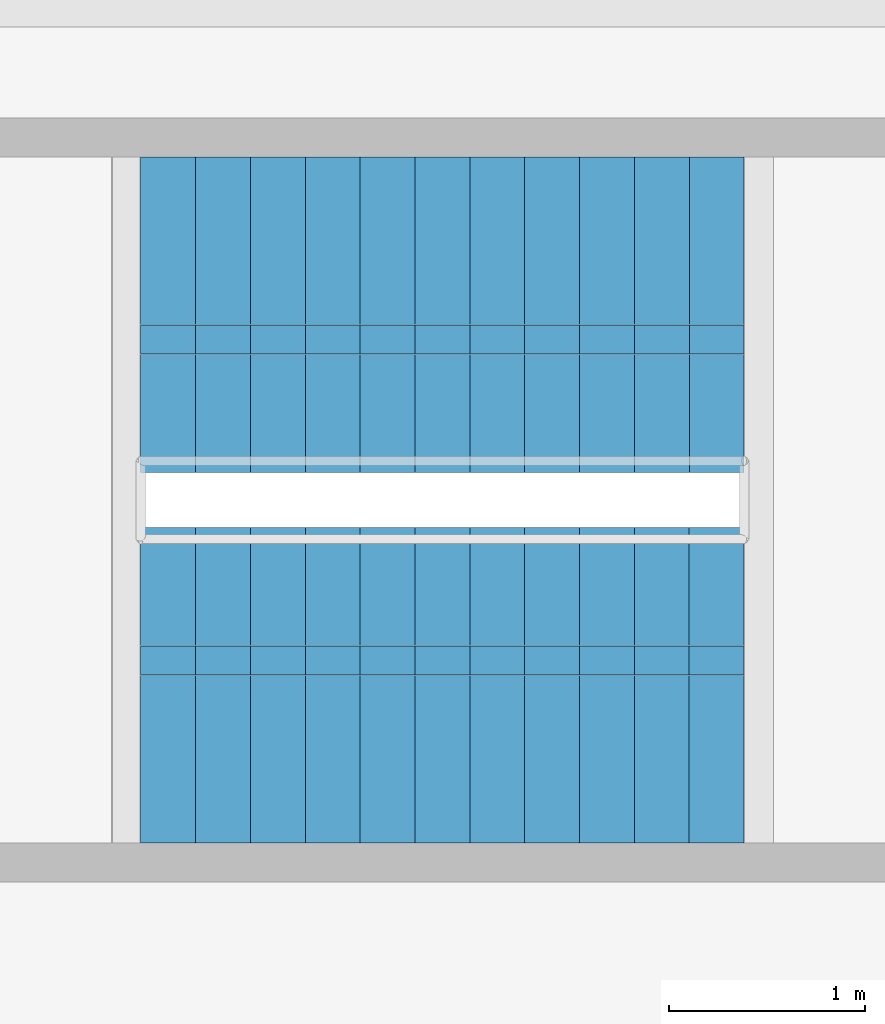
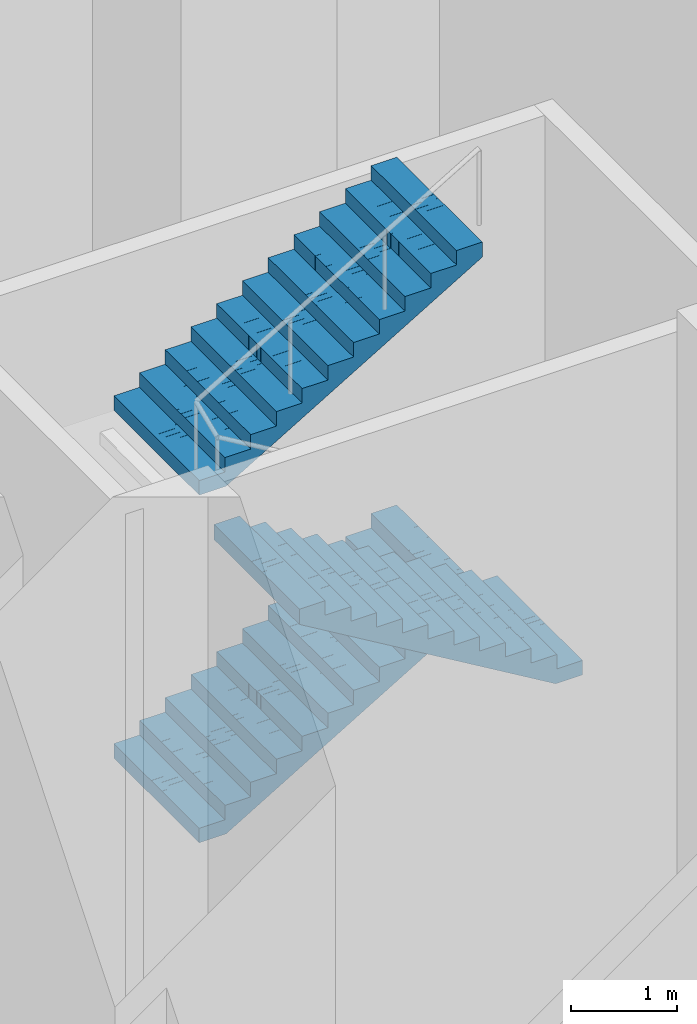
# One storey, part 24 of 25: 3 stair flights, 1 element without a shape of its own.
"""IFC4 building model written with IfcOpenShell, lengths in metres."""

import ifcopenshell
import ifcopenshell.guid

model = None  # the IFC model being written
_history = None  # IfcOwnerHistory: only IFC2X3 demands one
_inside = {}  # id of a spatial element -> (the spatial element, [elements in it])
_under = {}  # id of a project, library or spatial element -> (it, [spatial elements below it])
_declared = {}  # id of a project -> (the project, [libraries it declares])
_typed = {}  # id of a type object -> (the type object, [elements of that type])
_made_of = {}  # id of a material, layer set ... -> (it, [elements and type objects made of it])


def new_model(schema):
    """Start an empty IFC model of exactly this schema.

    Asked for "IFC4X3", IfcOpenShell would pick the latest addendum, in which some entities
    have other attributes; the version numbers below select the first issue.
    IFC2X3 requires an IfcOwnerHistory on every rooted entity: one is made here for all.
    """
    global model, _history
    if schema == "IFC4X3":
        model = ifcopenshell.file(schema_version=(4, 3, 0, 0))
    else:
        model = ifcopenshell.file(schema=schema)
    _inside.clear()
    _under.clear()
    _declared.clear()
    _typed.clear()
    _made_of.clear()
    _history = None
    if model.schema == "IFC2X3":
        org = make("IfcOrganization", Name="unknown")
        user = make(
            "IfcPersonAndOrganization",
            ThePerson=make("IfcPerson", FamilyName="unknown"),
            TheOrganization=org,
        )
        app = make(
            "IfcApplication",
            ApplicationDeveloper=org,
            Version="unknown",
            ApplicationFullName="unknown",
            ApplicationIdentifier="unknown",
        )
        _history = make(
            "IfcOwnerHistory",
            OwningUser=user,
            OwningApplication=app,
            ChangeAction="ADDED",
            CreationDate=0,
        )
    return model


def make(cls, **values):
    """One entity of the class cls with the attributes given. An attribute that is None is left unset."""
    return model.create_entity(
        cls, **{name: value for name, value in values.items() if value is not None}
    )


def rooted(cls, **values):
    """An entity with a GlobalId (a new one), such as an element, a storey or a relation."""
    return make(cls, GlobalId=ifcopenshell.guid.new(), OwnerHistory=_history, **values)


def si_unit(unit_type, name, prefix=None):
    """IfcSIUnit, for example si_unit("LENGTHUNIT", "METRE", prefix="MILLI")."""
    return make("IfcSIUnit", UnitType=unit_type, Prefix=prefix, Name=name)


def assignment(units):
    """IfcUnitAssignment: the units of a project."""
    return None if units is None else make("IfcUnitAssignment", Units=units)


def point(xyz):
    """IfcCartesianPoint."""
    return None if xyz is None else make("IfcCartesianPoint", Coordinates=xyz)


def direction(xyz):
    """IfcDirection."""
    return None if xyz is None else make("IfcDirection", DirectionRatios=xyz)


def frame(location, z_axis=None, x_axis=None):
    """IfcAxis2Placement3D, a coordinate frame: its origin and axes. An axis left out is left unset."""
    return make(
        "IfcAxis2Placement3D",
        Location=point(location),
        Axis=direction(z_axis),
        RefDirection=direction(x_axis),
    )


def origin():
    """The frame at (0, 0, 0) with its axes left unset."""
    return frame((0.0, 0.0, 0.0))


def place(relative_to, where):
    """IfcLocalPlacement: puts the frame where relative to a parent placement (None: the world)."""
    return make(
        "IfcLocalPlacement", PlacementRelTo=relative_to, RelativePlacement=where
    )


def context(
    kind, dimensions, precision=None, world=None, true_north=None, identifier=None
):
    """IfcGeometricRepresentationContext, for example the 3D "Model" context."""
    return make(
        "IfcGeometricRepresentationContext",
        ContextIdentifier=identifier,
        ContextType=kind,
        CoordinateSpaceDimension=dimensions,
        Precision=precision,
        WorldCoordinateSystem=world,
        TrueNorth=true_north,
    )


def subcontext(parent, identifier, kind, view, scale=None):
    """IfcGeometricRepresentationSubContext, for example "Body" below "Model"."""
    return make(
        "IfcGeometricRepresentationSubContext",
        ContextIdentifier=identifier,
        ContextType=kind,
        ParentContext=parent,
        TargetScale=scale,
        TargetView=view,
    )


def project(units=None, contexts=None):
    """IfcProject with its units and contexts."""
    return rooted(
        "IfcProject",
        Name="project",
        RepresentationContexts=contexts,
        UnitsInContext=assignment(units),
    )


def spatial(cls, under=None, at=None, **own):
    """A site, building, storey or space (cls), placed at a placement, below another one or the project."""
    s = rooted(cls, ObjectPlacement=at, **own)
    if under is not None:
        _under.setdefault(under.id(), (under, []))[1].append(s)
    return s


def polyline(points):
    """IfcPolyline through the points."""
    return make("IfcPolyline", Points=[point(p) for p in points])


def outline(outer, holes=None, kind="AREA"):
    """IfcArbitraryClosedProfileDef: a profile drawn as a closed curve; with holes, ...WithVoids."""
    if holes is None:
        return make("IfcArbitraryClosedProfileDef", ProfileType=kind, OuterCurve=outer)
    return make(
        "IfcArbitraryProfileDefWithVoids",
        ProfileType=kind,
        OuterCurve=outer,
        InnerCurves=holes,
    )


def extrude(swept, where, along, depth):
    """IfcExtrudedAreaSolid: the profile swept, set in the frame where, extruded along a direction by depth."""
    return make(
        "IfcExtrudedAreaSolid",
        SweptArea=swept,
        Position=where,
        ExtrudedDirection=direction(along),
        Depth=depth,
    )


def shape(context_of_items, identifier, shape_type, items):
    """IfcShapeRepresentation: the items that make up one representation, for example the "Body"."""
    return make(
        "IfcShapeRepresentation",
        ContextOfItems=context_of_items,
        RepresentationIdentifier=identifier,
        RepresentationType=shape_type,
        Items=items,
    )


def material(Name=None, Category=None):
    """IfcMaterial."""
    return make("IfcMaterial", Name=Name, Category=Category)


def made_of(thing, what):
    """Note that an element or type object is made of a material, layer set ...; save() writes the relation."""
    if what is not None:
        _made_of.setdefault(what.id(), (what, []))[1].append(thing)
    return thing


def type_object(cls, material=None, **own):
    """A type object (cls), such as IfcWallType, which elements share."""
    return made_of(rooted(cls, **own), material)


def element(
    cls,
    number,
    at=None,
    inside=None,
    cuts=None,
    type_object=None,
    material=None,
    context=None,
    identifier="Body",
    shape_type=None,
    held_by="IfcProductDefinitionShape",
    body=None,
    shapes=None,
    **own,
):
    """One element of the class cls, such as IfcWall. Its Tag is "e" and its number.

    at: its placement. inside: the storey or other place that contains it. cuts: it is an
    opening in that element (IfcRelVoidsElement). A single representation is given by context,
    identifier, shape_type and body (its items); several are given by shapes. held_by: the class
    of the entity that holds the representations. save() writes the other relations.
    """
    e = rooted(cls, Tag="e%d" % number, ObjectPlacement=at, **own)
    if body is not None:
        shapes = [shape(context, identifier, shape_type, body)]
    if shapes is not None:
        e.Representation = make(held_by, Representations=shapes)
    if inside is not None:
        _inside.setdefault(inside.id(), (inside, []))[1].append(e)
    if cuts is not None:
        rooted(
            "IfcRelVoidsElement", RelatingBuildingElement=cuts, RelatedOpeningElement=e
        )
    if type_object is not None:
        _typed.setdefault(type_object.id(), (type_object, []))[1].append(e)
    return made_of(e, material)


def aggregate(whole, parts):
    """IfcRelAggregates: a whole, such as a stair, and the parts it consists of."""
    return rooted("IfcRelAggregates", RelatingObject=whole, RelatedObjects=parts)


def save(model, path):
    """Write the relations noted so far, then the file.

    IfcRelAggregates (storeys below a building ...), IfcRelContainedInSpatialStructure (elements
    in a storey), IfcRelDefinesByType, IfcRelAssociatesMaterial and IfcRelDeclares: one each for
    every whole, place, type object, material and project.
    """
    for whole, parts in _under.values():
        aggregate(whole, parts)
    for where, things in _inside.values():
        rooted(
            "IfcRelContainedInSpatialStructure",
            RelatedElements=things,
            RelatingStructure=where,
        )
    for kind, things in _typed.values():
        rooted("IfcRelDefinesByType", RelatedObjects=things, RelatingType=kind)
    for what, things in _made_of.values():
        rooted("IfcRelAssociatesMaterial", RelatedObjects=things, RelatingMaterial=what)
    for by, libraries in _declared.values():
        rooted("IfcRelDeclares", RelatingContext=by, RelatedDefinitions=libraries)
    model.write(path)


model = new_model("IFC4")

# Units and contexts
model_context = context("Model", 3, precision=1e-05, world=origin(), true_north=direction((0.0, 1.0)))
body_context = subcontext(model_context, "Body", "Model", "MODEL_VIEW")
ifc_project = project(units=[si_unit("LENGTHUNIT", "METRE"), si_unit("AREAUNIT", "SQUARE_METRE"), si_unit("VOLUMEUNIT", "CUBIC_METRE"), si_unit("PLANEANGLEUNIT", "RADIAN"), si_unit("MASSUNIT", "GRAM", prefix="KILO")], contexts=[model_context])

# Site, building, storey
site_placement = place(None, origin())
site = spatial("IfcSite", under=ifc_project, at=site_placement, CompositionType="ELEMENT")
building_placement = place(site_placement, origin())
building = spatial("IfcBuilding", under=site, at=building_placement, Name="Mizan Broadcast Tower", CompositionType="ELEMENT")
storey_placement = place(building_placement, frame((0.0, 0.0, 15.0)))
storey = spatial("IfcBuildingStorey", under=building, at=storey_placement, Name="L02", CompositionType="ELEMENT", Elevation=15.0)

# Stair, stair flights
ifc_material_1 = material(Name="Concrete C40/50", Category="concrete")
stair_type = type_object("IfcStairType", Name="EXIT STAIR", PredefinedType="HALF_TURN_STAIR", material=ifc_material_1)
stair_placement = place(storey_placement, origin())
stair = element("IfcStair", 1, at=stair_placement, inside=storey, type_object=stair_type, Name="Stair C L02", PredefinedType="HALF_TURN_STAIR")
ifc_material_2 = material(Name="Concrete C40/50", Category="concrete")
stair_flight_type = type_object("IfcStairFlightType", Name="EXIT STAIR FLIGHT", PredefinedType="STRAIGHT", material=ifc_material_2)
stair_flight_1_placement = place(storey_placement, frame((21.81005859375, 4.094970703125, 2.0), z_axis=(0.0, 0.0, 1.0), x_axis=(1.0, 0.0, 0.0)))
stair_flight_1 = element("IfcStairFlight", 2, at=stair_flight_1_placement, type_object=stair_flight_type, Name="C flight 2", NumberOfRisers=12, NumberOfTreads=11, PredefinedType="STRAIGHT", RiserHeight=0.166666667, TreadLength=0.28, context=body_context, shape_type="SweptSolid", body=[
    extrude(outline(polyline([(0.0, 0.0), (0.0, 0.166748046875), (0.280029296875, 0.166748046875), (0.280029296875, 0.333251953125), (0.56005859375, 0.333251953125), (0.56005859375, 0.5), (0.840087890625, 0.5), (0.840087890625, 0.666748046875), (1.1201171875, 0.666748046875), (1.1201171875, 0.833251953125), (1.39990234375, 0.833251953125), (1.39990234375, 1.0), (1.679931640625, 1.0), (1.679931640625, 1.166748046875), (1.9599609375, 1.166748046875), (1.9599609375, 1.333251953125), (2.239990234375, 1.333251953125), (2.239990234375, 1.5), (2.52001953125, 1.5), (2.52001953125, 1.666748046875), (2.800048828125, 1.666748046875), (2.800048828125, 1.833251953125), (3.080078125, 1.833251953125), (3.080078125, 2.0), (3.080078125, 1.658935546875), (0.29296875, 0.0), (0.0, 0.0)])), frame((0.0, 0.80517578125, 0.0), z_axis=(0.0, -1.0, 0.0), x_axis=(1.0, 0.0, 0.0)), (0.0, 0.0, 1.0), 0.40234375),
    extrude(outline(polyline([(0.0, 0.0), (0.0, 0.166748046875), (0.280029296875, 0.166748046875), (0.280029296875, 0.333251953125), (0.56005859375, 0.333251953125), (0.56005859375, 0.5), (0.840087890625, 0.5), (0.840087890625, 0.666748046875), (1.1201171875, 0.666748046875), (1.1201171875, 0.833251953125), (1.39990234375, 0.833251953125), (1.39990234375, 1.0), (1.679931640625, 1.0), (1.679931640625, 1.166748046875), (1.9599609375, 1.166748046875), (1.9599609375, 1.333251953125), (2.239990234375, 1.333251953125), (2.239990234375, 1.5), (2.52001953125, 1.5), (2.52001953125, 1.666748046875), (2.800048828125, 1.666748046875), (2.800048828125, 1.833251953125), (3.080078125, 1.833251953125), (3.080078125, 2.0), (3.080078125, 1.658935546875), (0.29296875, 0.0), (0.0, 0.0)])), frame((0.0, 0.40234375, 0.0), z_axis=(0.0, -1.0, 0.0), x_axis=(1.0, 0.0, 0.0)), (0.0, 0.0, 1.0), 0.20068359375),
    extrude(outline(polyline([(0.0, 0.0), (0.0, 0.166748046875), (0.280029296875, 0.166748046875), (0.280029296875, 0.333251953125), (0.56005859375, 0.333251953125), (0.56005859375, 0.5), (0.840087890625, 0.5), (0.840087890625, 0.666748046875), (1.1201171875, 0.666748046875), (1.1201171875, 0.833251953125), (1.39990234375, 0.833251953125), (1.39990234375, 1.0), (1.679931640625, 1.0), (1.679931640625, 1.166748046875), (1.9599609375, 1.166748046875), (1.9599609375, 1.333251953125), (2.239990234375, 1.333251953125), (2.239990234375, 1.5), (2.52001953125, 1.5), (2.52001953125, 1.666748046875), (2.800048828125, 1.666748046875), (2.800048828125, 1.833251953125), (3.080078125, 1.833251953125), (3.080078125, 2.0), (3.080078125, 1.658935546875), (0.29296875, 0.0), (0.0, 0.0)])), frame((0.0, 0.201171875, 0.0), z_axis=(0.0, -1.0, 0.0), x_axis=(1.0, 0.0, 0.0)), (0.0, 0.0, 1.0), 0.10009765625),
    extrude(outline(polyline([(0.0, 0.0), (0.0, 0.166748046875), (0.280029296875, 0.166748046875), (0.280029296875, 0.333251953125), (0.56005859375, 0.333251953125), (0.56005859375, 0.5), (0.840087890625, 0.5), (0.840087890625, 0.666748046875), (1.1201171875, 0.666748046875), (1.1201171875, 0.833251953125), (1.39990234375, 0.833251953125), (1.39990234375, 1.0), (1.679931640625, 1.0), (1.679931640625, 1.166748046875), (1.9599609375, 1.166748046875), (1.9599609375, 1.333251953125), (2.239990234375, 1.333251953125), (2.239990234375, 1.5), (2.52001953125, 1.5), (2.52001953125, 1.666748046875), (2.800048828125, 1.666748046875), (2.800048828125, 1.833251953125), (3.080078125, 1.833251953125), (3.080078125, 2.0), (3.080078125, 1.658935546875), (0.29296875, 0.0), (0.0, 0.0)])), frame((0.0, 0.1005859375, 0.0), z_axis=(0.0, -1.0, 0.0), x_axis=(1.0, 0.0, 0.0)), (0.0, 0.0, 1.0), 0.0498046875),
    extrude(outline(polyline([(0.0, 0.0), (0.0, 0.166748046875), (0.280029296875, 0.166748046875), (0.280029296875, 0.333251953125), (0.56005859375, 0.333251953125), (0.56005859375, 0.5), (0.840087890625, 0.5), (0.840087890625, 0.666748046875), (1.1201171875, 0.666748046875), (1.1201171875, 0.833251953125), (1.39990234375, 0.833251953125), (1.39990234375, 1.0), (1.679931640625, 1.0), (1.679931640625, 1.166748046875), (1.9599609375, 1.166748046875), (1.9599609375, 1.333251953125), (2.239990234375, 1.333251953125), (2.239990234375, 1.5), (2.52001953125, 1.5), (2.52001953125, 1.666748046875), (2.800048828125, 1.666748046875), (2.800048828125, 1.833251953125), (3.080078125, 1.833251953125), (3.080078125, 2.0), (3.080078125, 1.658935546875), (0.29296875, 0.0), (0.0, 0.0)])), frame((0.0, 0.05029296875, 0.0), z_axis=(0.0, -1.0, 0.0), x_axis=(1.0, 0.0, 0.0)), (0.0, 0.0, 1.0), 0.024658203125),
    extrude(outline(polyline([(0.0, 0.0), (0.0, 0.166748046875), (0.280029296875, 0.166748046875), (0.280029296875, 0.333251953125), (0.56005859375, 0.333251953125), (0.56005859375, 0.5), (0.840087890625, 0.5), (0.840087890625, 0.666748046875), (1.1201171875, 0.666748046875), (1.1201171875, 0.833251953125), (1.39990234375, 0.833251953125), (1.39990234375, 1.0), (1.679931640625, 1.0), (1.679931640625, 1.166748046875), (1.9599609375, 1.166748046875), (1.9599609375, 1.333251953125), (2.239990234375, 1.333251953125), (2.239990234375, 1.5), (2.52001953125, 1.5), (2.52001953125, 1.666748046875), (2.800048828125, 1.666748046875), (2.800048828125, 1.833251953125), (3.080078125, 1.833251953125), (3.080078125, 2.0), (3.080078125, 1.658935546875), (0.29296875, 0.0), (0.0, 0.0)])), frame((0.0, 0.025146484375, 0.0), z_axis=(0.0, -1.0, 0.0), x_axis=(1.0, 0.0, 0.0)), (0.0, 0.0, 1.0), 0.050048828125),
    extrude(outline(polyline([(0.0, 0.0), (0.0, 0.166748046875), (0.280029296875, 0.166748046875), (0.280029296875, 0.333251953125), (0.56005859375, 0.333251953125), (0.56005859375, 0.5), (0.840087890625, 0.5), (0.840087890625, 0.666748046875), (1.1201171875, 0.666748046875), (1.1201171875, 0.833251953125), (1.39990234375, 0.833251953125), (1.39990234375, 1.0), (1.679931640625, 1.0), (1.679931640625, 1.166748046875), (1.9599609375, 1.166748046875), (1.9599609375, 1.333251953125), (2.239990234375, 1.333251953125), (2.239990234375, 1.5), (2.52001953125, 1.5), (2.52001953125, 1.666748046875), (2.800048828125, 1.666748046875), (2.800048828125, 1.833251953125), (3.080078125, 1.833251953125), (3.080078125, 2.0), (3.080078125, 1.658935546875), (0.29296875, 0.0), (0.0, 0.0)])), frame((0.0, -0.025390625, 0.0), z_axis=(0.0, -1.0, 0.0), x_axis=(1.0, 0.0, 0.0)), (0.0, 0.0, 1.0), 0.024658203125),
    extrude(outline(polyline([(0.0, 0.0), (0.0, 0.166748046875), (0.280029296875, 0.166748046875), (0.280029296875, 0.333251953125), (0.56005859375, 0.333251953125), (0.56005859375, 0.5), (0.840087890625, 0.5), (0.840087890625, 0.666748046875), (1.1201171875, 0.666748046875), (1.1201171875, 0.833251953125), (1.39990234375, 0.833251953125), (1.39990234375, 1.0), (1.679931640625, 1.0), (1.679931640625, 1.166748046875), (1.9599609375, 1.166748046875), (1.9599609375, 1.333251953125), (2.239990234375, 1.333251953125), (2.239990234375, 1.5), (2.52001953125, 1.5), (2.52001953125, 1.666748046875), (2.800048828125, 1.666748046875), (2.800048828125, 1.833251953125), (3.080078125, 1.833251953125), (3.080078125, 2.0), (3.080078125, 1.658935546875), (0.29296875, 0.0), (0.0, 0.0)])), frame((0.0, -0.050537109375, 0.0), z_axis=(0.0, -1.0, 0.0), x_axis=(1.0, 0.0, 0.0)), (0.0, 0.0, 1.0), 0.0498046875),
    extrude(outline(polyline([(0.0, 0.0), (0.0, 0.166748046875), (0.280029296875, 0.166748046875), (0.280029296875, 0.333251953125), (0.56005859375, 0.333251953125), (0.56005859375, 0.5), (0.840087890625, 0.5), (0.840087890625, 0.666748046875), (1.1201171875, 0.666748046875), (1.1201171875, 0.833251953125), (1.39990234375, 0.833251953125), (1.39990234375, 1.0), (1.679931640625, 1.0), (1.679931640625, 1.166748046875), (1.9599609375, 1.166748046875), (1.9599609375, 1.333251953125), (2.239990234375, 1.333251953125), (2.239990234375, 1.5), (2.52001953125, 1.5), (2.52001953125, 1.666748046875), (2.800048828125, 1.666748046875), (2.800048828125, 1.833251953125), (3.080078125, 1.833251953125), (3.080078125, 2.0), (3.080078125, 1.658935546875), (0.29296875, 0.0), (0.0, 0.0)])), frame((0.0, -0.100830078125, 0.0), z_axis=(0.0, -1.0, 0.0), x_axis=(1.0, 0.0, 0.0)), (0.0, 0.0, 1.0), 0.10009765625),
    extrude(outline(polyline([(0.0, 0.0), (0.0, 0.166748046875), (0.280029296875, 0.166748046875), (0.280029296875, 0.333251953125), (0.56005859375, 0.333251953125), (0.56005859375, 0.5), (0.840087890625, 0.5), (0.840087890625, 0.666748046875), (1.1201171875, 0.666748046875), (1.1201171875, 0.833251953125), (1.39990234375, 0.833251953125), (1.39990234375, 1.0), (1.679931640625, 1.0), (1.679931640625, 1.166748046875), (1.9599609375, 1.166748046875), (1.9599609375, 1.333251953125), (2.239990234375, 1.333251953125), (2.239990234375, 1.5), (2.52001953125, 1.5), (2.52001953125, 1.666748046875), (2.800048828125, 1.666748046875), (2.800048828125, 1.833251953125), (3.080078125, 1.833251953125), (3.080078125, 2.0), (3.080078125, 1.658935546875), (0.29296875, 0.0), (0.0, 0.0)])), frame((0.0, -0.201416015625, 0.0), z_axis=(0.0, -1.0, 0.0), x_axis=(1.0, 0.0, 0.0)), (0.0, 0.0, 1.0), 0.20068359375),
    extrude(outline(polyline([(0.0, 0.0), (0.0, 0.166748046875), (0.280029296875, 0.166748046875), (0.280029296875, 0.333251953125), (0.56005859375, 0.333251953125), (0.56005859375, 0.5), (0.840087890625, 0.5), (0.840087890625, 0.666748046875), (1.1201171875, 0.666748046875), (1.1201171875, 0.833251953125), (1.39990234375, 0.833251953125), (1.39990234375, 1.0), (1.679931640625, 1.0), (1.679931640625, 1.166748046875), (1.9599609375, 1.166748046875), (1.9599609375, 1.333251953125), (2.239990234375, 1.333251953125), (2.239990234375, 1.5), (2.52001953125, 1.5), (2.52001953125, 1.666748046875), (2.800048828125, 1.666748046875), (2.800048828125, 1.833251953125), (3.080078125, 1.833251953125), (3.080078125, 2.0), (3.080078125, 1.658935546875), (0.29296875, 0.0), (0.0, 0.0)])), frame((0.0, -0.402587890625, 0.0), z_axis=(0.0, -1.0, 0.0), x_axis=(1.0, 0.0, 0.0)), (0.0, 0.0, 1.0), 0.40234375),
])
stair_flight_2_placement = place(storey_placement, frame((24.889892578125, 2.205078125, 4.0), z_axis=(0.0, 0.0, 1.0), x_axis=(-1.0, 0.0, 0.0)))
stair_flight_2 = element("IfcStairFlight", 3, at=stair_flight_2_placement, type_object=stair_flight_type, Name="C flight 3", NumberOfRisers=12, NumberOfTreads=11, PredefinedType="STRAIGHT", RiserHeight=0.166666667, TreadLength=0.28, context=body_context, shape_type="SweptSolid", body=[
    extrude(outline(polyline([(0.0, 0.0), (0.0, 0.166748046875), (0.280029296875, 0.166748046875), (0.280029296875, 0.333251953125), (0.56005859375, 0.333251953125), (0.56005859375, 0.5), (0.840087890625, 0.5), (0.840087890625, 0.666748046875), (1.1201171875, 0.666748046875), (1.1201171875, 0.833251953125), (1.39990234375, 0.833251953125), (1.39990234375, 1.0), (1.679931640625, 1.0), (1.679931640625, 1.166748046875), (1.9599609375, 1.166748046875), (1.9599609375, 1.333251953125), (2.239990234375, 1.333251953125), (2.239990234375, 1.5), (2.52001953125, 1.5), (2.52001953125, 1.666748046875), (2.800048828125, 1.666748046875), (2.800048828125, 1.833251953125), (3.080078125, 1.833251953125), (3.080078125, 2.0), (3.080078125, 1.658935546875), (0.29296875, 0.0), (0.0, 0.0)])), frame((0.0, 0.80517578125, 0.0), z_axis=(0.0, -1.0, 0.0), x_axis=(1.0, 0.0, 0.0)), (0.0, 0.0, 1.0), 0.40234375),
    extrude(outline(polyline([(0.0, 0.0), (0.0, 0.166748046875), (0.280029296875, 0.166748046875), (0.280029296875, 0.333251953125), (0.56005859375, 0.333251953125), (0.56005859375, 0.5), (0.840087890625, 0.5), (0.840087890625, 0.666748046875), (1.1201171875, 0.666748046875), (1.1201171875, 0.833251953125), (1.39990234375, 0.833251953125), (1.39990234375, 1.0), (1.679931640625, 1.0), (1.679931640625, 1.166748046875), (1.9599609375, 1.166748046875), (1.9599609375, 1.333251953125), (2.239990234375, 1.333251953125), (2.239990234375, 1.5), (2.52001953125, 1.5), (2.52001953125, 1.666748046875), (2.800048828125, 1.666748046875), (2.800048828125, 1.833251953125), (3.080078125, 1.833251953125), (3.080078125, 2.0), (3.080078125, 1.658935546875), (0.29296875, 0.0), (0.0, 0.0)])), frame((0.0, 0.40234375, 0.0), z_axis=(0.0, -1.0, 0.0), x_axis=(1.0, 0.0, 0.0)), (0.0, 0.0, 1.0), 0.20068359375),
    extrude(outline(polyline([(0.0, 0.0), (0.0, 0.166748046875), (0.280029296875, 0.166748046875), (0.280029296875, 0.333251953125), (0.56005859375, 0.333251953125), (0.56005859375, 0.5), (0.840087890625, 0.5), (0.840087890625, 0.666748046875), (1.1201171875, 0.666748046875), (1.1201171875, 0.833251953125), (1.39990234375, 0.833251953125), (1.39990234375, 1.0), (1.679931640625, 1.0), (1.679931640625, 1.166748046875), (1.9599609375, 1.166748046875), (1.9599609375, 1.333251953125), (2.239990234375, 1.333251953125), (2.239990234375, 1.5), (2.52001953125, 1.5), (2.52001953125, 1.666748046875), (2.800048828125, 1.666748046875), (2.800048828125, 1.833251953125), (3.080078125, 1.833251953125), (3.080078125, 2.0), (3.080078125, 1.658935546875), (0.29296875, 0.0), (0.0, 0.0)])), frame((0.0, 0.201171875, 0.0), z_axis=(0.0, -1.0, 0.0), x_axis=(1.0, 0.0, 0.0)), (0.0, 0.0, 1.0), 0.10009765625),
    extrude(outline(polyline([(0.0, 0.0), (0.0, 0.166748046875), (0.280029296875, 0.166748046875), (0.280029296875, 0.333251953125), (0.56005859375, 0.333251953125), (0.56005859375, 0.5), (0.840087890625, 0.5), (0.840087890625, 0.666748046875), (1.1201171875, 0.666748046875), (1.1201171875, 0.833251953125), (1.39990234375, 0.833251953125), (1.39990234375, 1.0), (1.679931640625, 1.0), (1.679931640625, 1.166748046875), (1.9599609375, 1.166748046875), (1.9599609375, 1.333251953125), (2.239990234375, 1.333251953125), (2.239990234375, 1.5), (2.52001953125, 1.5), (2.52001953125, 1.666748046875), (2.800048828125, 1.666748046875), (2.800048828125, 1.833251953125), (3.080078125, 1.833251953125), (3.080078125, 2.0), (3.080078125, 1.658935546875), (0.29296875, 0.0), (0.0, 0.0)])), frame((0.0, 0.1005859375, 0.0), z_axis=(0.0, -1.0, 0.0), x_axis=(1.0, 0.0, 0.0)), (0.0, 0.0, 1.0), 0.0498046875),
    extrude(outline(polyline([(0.0, 0.0), (0.0, 0.166748046875), (0.280029296875, 0.166748046875), (0.280029296875, 0.333251953125), (0.56005859375, 0.333251953125), (0.56005859375, 0.5), (0.840087890625, 0.5), (0.840087890625, 0.666748046875), (1.1201171875, 0.666748046875), (1.1201171875, 0.833251953125), (1.39990234375, 0.833251953125), (1.39990234375, 1.0), (1.679931640625, 1.0), (1.679931640625, 1.166748046875), (1.9599609375, 1.166748046875), (1.9599609375, 1.333251953125), (2.239990234375, 1.333251953125), (2.239990234375, 1.5), (2.52001953125, 1.5), (2.52001953125, 1.666748046875), (2.800048828125, 1.666748046875), (2.800048828125, 1.833251953125), (3.080078125, 1.833251953125), (3.080078125, 2.0), (3.080078125, 1.658935546875), (0.29296875, 0.0), (0.0, 0.0)])), frame((0.0, 0.05029296875, 0.0), z_axis=(0.0, -1.0, 0.0), x_axis=(1.0, 0.0, 0.0)), (0.0, 0.0, 1.0), 0.024658203125),
    extrude(outline(polyline([(0.0, 0.0), (0.0, 0.166748046875), (0.280029296875, 0.166748046875), (0.280029296875, 0.333251953125), (0.56005859375, 0.333251953125), (0.56005859375, 0.5), (0.840087890625, 0.5), (0.840087890625, 0.666748046875), (1.1201171875, 0.666748046875), (1.1201171875, 0.833251953125), (1.39990234375, 0.833251953125), (1.39990234375, 1.0), (1.679931640625, 1.0), (1.679931640625, 1.166748046875), (1.9599609375, 1.166748046875), (1.9599609375, 1.333251953125), (2.239990234375, 1.333251953125), (2.239990234375, 1.5), (2.52001953125, 1.5), (2.52001953125, 1.666748046875), (2.800048828125, 1.666748046875), (2.800048828125, 1.833251953125), (3.080078125, 1.833251953125), (3.080078125, 2.0), (3.080078125, 1.658935546875), (0.29296875, 0.0), (0.0, 0.0)])), frame((0.0, 0.025146484375, 0.0), z_axis=(0.0, -1.0, 0.0), x_axis=(1.0, 0.0, 0.0)), (0.0, 0.0, 1.0), 0.050048828125),
    extrude(outline(polyline([(0.0, 0.0), (0.0, 0.166748046875), (0.280029296875, 0.166748046875), (0.280029296875, 0.333251953125), (0.56005859375, 0.333251953125), (0.56005859375, 0.5), (0.840087890625, 0.5), (0.840087890625, 0.666748046875), (1.1201171875, 0.666748046875), (1.1201171875, 0.833251953125), (1.39990234375, 0.833251953125), (1.39990234375, 1.0), (1.679931640625, 1.0), (1.679931640625, 1.166748046875), (1.9599609375, 1.166748046875), (1.9599609375, 1.333251953125), (2.239990234375, 1.333251953125), (2.239990234375, 1.5), (2.52001953125, 1.5), (2.52001953125, 1.666748046875), (2.800048828125, 1.666748046875), (2.800048828125, 1.833251953125), (3.080078125, 1.833251953125), (3.080078125, 2.0), (3.080078125, 1.658935546875), (0.29296875, 0.0), (0.0, 0.0)])), frame((0.0, -0.025390625, 0.0), z_axis=(0.0, -1.0, 0.0), x_axis=(1.0, 0.0, 0.0)), (0.0, 0.0, 1.0), 0.024658203125),
    extrude(outline(polyline([(0.0, 0.0), (0.0, 0.166748046875), (0.280029296875, 0.166748046875), (0.280029296875, 0.333251953125), (0.56005859375, 0.333251953125), (0.56005859375, 0.5), (0.840087890625, 0.5), (0.840087890625, 0.666748046875), (1.1201171875, 0.666748046875), (1.1201171875, 0.833251953125), (1.39990234375, 0.833251953125), (1.39990234375, 1.0), (1.679931640625, 1.0), (1.679931640625, 1.166748046875), (1.9599609375, 1.166748046875), (1.9599609375, 1.333251953125), (2.239990234375, 1.333251953125), (2.239990234375, 1.5), (2.52001953125, 1.5), (2.52001953125, 1.666748046875), (2.800048828125, 1.666748046875), (2.800048828125, 1.833251953125), (3.080078125, 1.833251953125), (3.080078125, 2.0), (3.080078125, 1.658935546875), (0.29296875, 0.0), (0.0, 0.0)])), frame((0.0, -0.050537109375, 0.0), z_axis=(0.0, -1.0, 0.0), x_axis=(1.0, 0.0, 0.0)), (0.0, 0.0, 1.0), 0.0498046875),
    extrude(outline(polyline([(0.0, 0.0), (0.0, 0.166748046875), (0.280029296875, 0.166748046875), (0.280029296875, 0.333251953125), (0.56005859375, 0.333251953125), (0.56005859375, 0.5), (0.840087890625, 0.5), (0.840087890625, 0.666748046875), (1.1201171875, 0.666748046875), (1.1201171875, 0.833251953125), (1.39990234375, 0.833251953125), (1.39990234375, 1.0), (1.679931640625, 1.0), (1.679931640625, 1.166748046875), (1.9599609375, 1.166748046875), (1.9599609375, 1.333251953125), (2.239990234375, 1.333251953125), (2.239990234375, 1.5), (2.52001953125, 1.5), (2.52001953125, 1.666748046875), (2.800048828125, 1.666748046875), (2.800048828125, 1.833251953125), (3.080078125, 1.833251953125), (3.080078125, 2.0), (3.080078125, 1.658935546875), (0.29296875, 0.0), (0.0, 0.0)])), frame((0.0, -0.100830078125, 0.0), z_axis=(0.0, -1.0, 0.0), x_axis=(1.0, 0.0, 0.0)), (0.0, 0.0, 1.0), 0.10009765625),
    extrude(outline(polyline([(0.0, 0.0), (0.0, 0.166748046875), (0.280029296875, 0.166748046875), (0.280029296875, 0.333251953125), (0.56005859375, 0.333251953125), (0.56005859375, 0.5), (0.840087890625, 0.5), (0.840087890625, 0.666748046875), (1.1201171875, 0.666748046875), (1.1201171875, 0.833251953125), (1.39990234375, 0.833251953125), (1.39990234375, 1.0), (1.679931640625, 1.0), (1.679931640625, 1.166748046875), (1.9599609375, 1.166748046875), (1.9599609375, 1.333251953125), (2.239990234375, 1.333251953125), (2.239990234375, 1.5), (2.52001953125, 1.5), (2.52001953125, 1.666748046875), (2.800048828125, 1.666748046875), (2.800048828125, 1.833251953125), (3.080078125, 1.833251953125), (3.080078125, 2.0), (3.080078125, 1.658935546875), (0.29296875, 0.0), (0.0, 0.0)])), frame((0.0, -0.201416015625, 0.0), z_axis=(0.0, -1.0, 0.0), x_axis=(1.0, 0.0, 0.0)), (0.0, 0.0, 1.0), 0.20068359375),
    extrude(outline(polyline([(0.0, 0.0), (0.0, 0.166748046875), (0.280029296875, 0.166748046875), (0.280029296875, 0.333251953125), (0.56005859375, 0.333251953125), (0.56005859375, 0.5), (0.840087890625, 0.5), (0.840087890625, 0.666748046875), (1.1201171875, 0.666748046875), (1.1201171875, 0.833251953125), (1.39990234375, 0.833251953125), (1.39990234375, 1.0), (1.679931640625, 1.0), (1.679931640625, 1.166748046875), (1.9599609375, 1.166748046875), (1.9599609375, 1.333251953125), (2.239990234375, 1.333251953125), (2.239990234375, 1.5), (2.52001953125, 1.5), (2.52001953125, 1.666748046875), (2.800048828125, 1.666748046875), (2.800048828125, 1.833251953125), (3.080078125, 1.833251953125), (3.080078125, 2.0), (3.080078125, 1.658935546875), (0.29296875, 0.0), (0.0, 0.0)])), frame((0.0, -0.402587890625, 0.0), z_axis=(0.0, -1.0, 0.0), x_axis=(1.0, 0.0, 0.0)), (0.0, 0.0, 1.0), 0.40234375),
])
stair_flight_3_placement = place(storey_placement, frame((21.81005859375, 4.094970703125, 6.0), z_axis=(0.0, 0.0, 1.0), x_axis=(1.0, 0.0, 0.0)))
stair_flight_3 = element("IfcStairFlight", 4, at=stair_flight_3_placement, type_object=stair_flight_type, Name="C flight 4", NumberOfRisers=12, NumberOfTreads=11, PredefinedType="STRAIGHT", RiserHeight=0.166666667, TreadLength=0.28, context=body_context, shape_type="SweptSolid", body=[
    extrude(outline(polyline([(0.0, 0.0), (0.0, 0.166748046875), (0.280029296875, 0.166748046875), (0.280029296875, 0.333251953125), (0.56005859375, 0.333251953125), (0.56005859375, 0.5), (0.840087890625, 0.5), (0.840087890625, 0.666748046875), (1.1201171875, 0.666748046875), (1.1201171875, 0.833251953125), (1.39990234375, 0.833251953125), (1.39990234375, 1.0), (1.679931640625, 1.0), (1.679931640625, 1.166748046875), (1.9599609375, 1.166748046875), (1.9599609375, 1.333251953125), (2.239990234375, 1.333251953125), (2.239990234375, 1.5), (2.52001953125, 1.5), (2.52001953125, 1.666748046875), (2.800048828125, 1.666748046875), (2.800048828125, 1.833251953125), (3.080078125, 1.833251953125), (3.080078125, 2.0), (3.080078125, 1.658935546875), (0.29296875, 0.0), (0.0, 0.0)])), frame((0.0, 0.80517578125, 0.0), z_axis=(0.0, -1.0, 0.0), x_axis=(1.0, 0.0, 0.0)), (0.0, 0.0, 1.0), 0.40234375),
    extrude(outline(polyline([(0.0, 0.0), (0.0, 0.166748046875), (0.280029296875, 0.166748046875), (0.280029296875, 0.333251953125), (0.56005859375, 0.333251953125), (0.56005859375, 0.5), (0.840087890625, 0.5), (0.840087890625, 0.666748046875), (1.1201171875, 0.666748046875), (1.1201171875, 0.833251953125), (1.39990234375, 0.833251953125), (1.39990234375, 1.0), (1.679931640625, 1.0), (1.679931640625, 1.166748046875), (1.9599609375, 1.166748046875), (1.9599609375, 1.333251953125), (2.239990234375, 1.333251953125), (2.239990234375, 1.5), (2.52001953125, 1.5), (2.52001953125, 1.666748046875), (2.800048828125, 1.666748046875), (2.800048828125, 1.833251953125), (3.080078125, 1.833251953125), (3.080078125, 2.0), (3.080078125, 1.658935546875), (0.29296875, 0.0), (0.0, 0.0)])), frame((0.0, 0.40234375, 0.0), z_axis=(0.0, -1.0, 0.0), x_axis=(1.0, 0.0, 0.0)), (0.0, 0.0, 1.0), 0.20068359375),
    extrude(outline(polyline([(0.0, 0.0), (0.0, 0.166748046875), (0.280029296875, 0.166748046875), (0.280029296875, 0.333251953125), (0.56005859375, 0.333251953125), (0.56005859375, 0.5), (0.840087890625, 0.5), (0.840087890625, 0.666748046875), (1.1201171875, 0.666748046875), (1.1201171875, 0.833251953125), (1.39990234375, 0.833251953125), (1.39990234375, 1.0), (1.679931640625, 1.0), (1.679931640625, 1.166748046875), (1.9599609375, 1.166748046875), (1.9599609375, 1.333251953125), (2.239990234375, 1.333251953125), (2.239990234375, 1.5), (2.52001953125, 1.5), (2.52001953125, 1.666748046875), (2.800048828125, 1.666748046875), (2.800048828125, 1.833251953125), (3.080078125, 1.833251953125), (3.080078125, 2.0), (3.080078125, 1.658935546875), (0.29296875, 0.0), (0.0, 0.0)])), frame((0.0, 0.201171875, 0.0), z_axis=(0.0, -1.0, 0.0), x_axis=(1.0, 0.0, 0.0)), (0.0, 0.0, 1.0), 0.10009765625),
    extrude(outline(polyline([(0.0, 0.0), (0.0, 0.166748046875), (0.280029296875, 0.166748046875), (0.280029296875, 0.333251953125), (0.56005859375, 0.333251953125), (0.56005859375, 0.5), (0.840087890625, 0.5), (0.840087890625, 0.666748046875), (1.1201171875, 0.666748046875), (1.1201171875, 0.833251953125), (1.39990234375, 0.833251953125), (1.39990234375, 1.0), (1.679931640625, 1.0), (1.679931640625, 1.166748046875), (1.9599609375, 1.166748046875), (1.9599609375, 1.333251953125), (2.239990234375, 1.333251953125), (2.239990234375, 1.5), (2.52001953125, 1.5), (2.52001953125, 1.666748046875), (2.800048828125, 1.666748046875), (2.800048828125, 1.833251953125), (3.080078125, 1.833251953125), (3.080078125, 2.0), (3.080078125, 1.658935546875), (0.29296875, 0.0), (0.0, 0.0)])), frame((0.0, 0.1005859375, 0.0), z_axis=(0.0, -1.0, 0.0), x_axis=(1.0, 0.0, 0.0)), (0.0, 0.0, 1.0), 0.0498046875),
    extrude(outline(polyline([(0.0, 0.0), (0.0, 0.166748046875), (0.280029296875, 0.166748046875), (0.280029296875, 0.333251953125), (0.56005859375, 0.333251953125), (0.56005859375, 0.5), (0.840087890625, 0.5), (0.840087890625, 0.666748046875), (1.1201171875, 0.666748046875), (1.1201171875, 0.833251953125), (1.39990234375, 0.833251953125), (1.39990234375, 1.0), (1.679931640625, 1.0), (1.679931640625, 1.166748046875), (1.9599609375, 1.166748046875), (1.9599609375, 1.333251953125), (2.239990234375, 1.333251953125), (2.239990234375, 1.5), (2.52001953125, 1.5), (2.52001953125, 1.666748046875), (2.800048828125, 1.666748046875), (2.800048828125, 1.833251953125), (3.080078125, 1.833251953125), (3.080078125, 2.0), (3.080078125, 1.658935546875), (0.29296875, 0.0), (0.0, 0.0)])), frame((0.0, 0.05029296875, 0.0), z_axis=(0.0, -1.0, 0.0), x_axis=(1.0, 0.0, 0.0)), (0.0, 0.0, 1.0), 0.024658203125),
    extrude(outline(polyline([(0.0, 0.0), (0.0, 0.166748046875), (0.280029296875, 0.166748046875), (0.280029296875, 0.333251953125), (0.56005859375, 0.333251953125), (0.56005859375, 0.5), (0.840087890625, 0.5), (0.840087890625, 0.666748046875), (1.1201171875, 0.666748046875), (1.1201171875, 0.833251953125), (1.39990234375, 0.833251953125), (1.39990234375, 1.0), (1.679931640625, 1.0), (1.679931640625, 1.166748046875), (1.9599609375, 1.166748046875), (1.9599609375, 1.333251953125), (2.239990234375, 1.333251953125), (2.239990234375, 1.5), (2.52001953125, 1.5), (2.52001953125, 1.666748046875), (2.800048828125, 1.666748046875), (2.800048828125, 1.833251953125), (3.080078125, 1.833251953125), (3.080078125, 2.0), (3.080078125, 1.658935546875), (0.29296875, 0.0), (0.0, 0.0)])), frame((0.0, 0.025146484375, 0.0), z_axis=(0.0, -1.0, 0.0), x_axis=(1.0, 0.0, 0.0)), (0.0, 0.0, 1.0), 0.050048828125),
    extrude(outline(polyline([(0.0, 0.0), (0.0, 0.166748046875), (0.280029296875, 0.166748046875), (0.280029296875, 0.333251953125), (0.56005859375, 0.333251953125), (0.56005859375, 0.5), (0.840087890625, 0.5), (0.840087890625, 0.666748046875), (1.1201171875, 0.666748046875), (1.1201171875, 0.833251953125), (1.39990234375, 0.833251953125), (1.39990234375, 1.0), (1.679931640625, 1.0), (1.679931640625, 1.166748046875), (1.9599609375, 1.166748046875), (1.9599609375, 1.333251953125), (2.239990234375, 1.333251953125), (2.239990234375, 1.5), (2.52001953125, 1.5), (2.52001953125, 1.666748046875), (2.800048828125, 1.666748046875), (2.800048828125, 1.833251953125), (3.080078125, 1.833251953125), (3.080078125, 2.0), (3.080078125, 1.658935546875), (0.29296875, 0.0), (0.0, 0.0)])), frame((0.0, -0.025390625, 0.0), z_axis=(0.0, -1.0, 0.0), x_axis=(1.0, 0.0, 0.0)), (0.0, 0.0, 1.0), 0.024658203125),
    extrude(outline(polyline([(0.0, 0.0), (0.0, 0.166748046875), (0.280029296875, 0.166748046875), (0.280029296875, 0.333251953125), (0.56005859375, 0.333251953125), (0.56005859375, 0.5), (0.840087890625, 0.5), (0.840087890625, 0.666748046875), (1.1201171875, 0.666748046875), (1.1201171875, 0.833251953125), (1.39990234375, 0.833251953125), (1.39990234375, 1.0), (1.679931640625, 1.0), (1.679931640625, 1.166748046875), (1.9599609375, 1.166748046875), (1.9599609375, 1.333251953125), (2.239990234375, 1.333251953125), (2.239990234375, 1.5), (2.52001953125, 1.5), (2.52001953125, 1.666748046875), (2.800048828125, 1.666748046875), (2.800048828125, 1.833251953125), (3.080078125, 1.833251953125), (3.080078125, 2.0), (3.080078125, 1.658935546875), (0.29296875, 0.0), (0.0, 0.0)])), frame((0.0, -0.050537109375, 0.0), z_axis=(0.0, -1.0, 0.0), x_axis=(1.0, 0.0, 0.0)), (0.0, 0.0, 1.0), 0.0498046875),
    extrude(outline(polyline([(0.0, 0.0), (0.0, 0.166748046875), (0.280029296875, 0.166748046875), (0.280029296875, 0.333251953125), (0.56005859375, 0.333251953125), (0.56005859375, 0.5), (0.840087890625, 0.5), (0.840087890625, 0.666748046875), (1.1201171875, 0.666748046875), (1.1201171875, 0.833251953125), (1.39990234375, 0.833251953125), (1.39990234375, 1.0), (1.679931640625, 1.0), (1.679931640625, 1.166748046875), (1.9599609375, 1.166748046875), (1.9599609375, 1.333251953125), (2.239990234375, 1.333251953125), (2.239990234375, 1.5), (2.52001953125, 1.5), (2.52001953125, 1.666748046875), (2.800048828125, 1.666748046875), (2.800048828125, 1.833251953125), (3.080078125, 1.833251953125), (3.080078125, 2.0), (3.080078125, 1.658935546875), (0.29296875, 0.0), (0.0, 0.0)])), frame((0.0, -0.100830078125, 0.0), z_axis=(0.0, -1.0, 0.0), x_axis=(1.0, 0.0, 0.0)), (0.0, 0.0, 1.0), 0.10009765625),
    extrude(outline(polyline([(0.0, 0.0), (0.0, 0.166748046875), (0.280029296875, 0.166748046875), (0.280029296875, 0.333251953125), (0.56005859375, 0.333251953125), (0.56005859375, 0.5), (0.840087890625, 0.5), (0.840087890625, 0.666748046875), (1.1201171875, 0.666748046875), (1.1201171875, 0.833251953125), (1.39990234375, 0.833251953125), (1.39990234375, 1.0), (1.679931640625, 1.0), (1.679931640625, 1.166748046875), (1.9599609375, 1.166748046875), (1.9599609375, 1.333251953125), (2.239990234375, 1.333251953125), (2.239990234375, 1.5), (2.52001953125, 1.5), (2.52001953125, 1.666748046875), (2.800048828125, 1.666748046875), (2.800048828125, 1.833251953125), (3.080078125, 1.833251953125), (3.080078125, 2.0), (3.080078125, 1.658935546875), (0.29296875, 0.0), (0.0, 0.0)])), frame((0.0, -0.201416015625, 0.0), z_axis=(0.0, -1.0, 0.0), x_axis=(1.0, 0.0, 0.0)), (0.0, 0.0, 1.0), 0.20068359375),
    extrude(outline(polyline([(0.0, 0.0), (0.0, 0.166748046875), (0.280029296875, 0.166748046875), (0.280029296875, 0.333251953125), (0.56005859375, 0.333251953125), (0.56005859375, 0.5), (0.840087890625, 0.5), (0.840087890625, 0.666748046875), (1.1201171875, 0.666748046875), (1.1201171875, 0.833251953125), (1.39990234375, 0.833251953125), (1.39990234375, 1.0), (1.679931640625, 1.0), (1.679931640625, 1.166748046875), (1.9599609375, 1.166748046875), (1.9599609375, 1.333251953125), (2.239990234375, 1.333251953125), (2.239990234375, 1.5), (2.52001953125, 1.5), (2.52001953125, 1.666748046875), (2.800048828125, 1.666748046875), (2.800048828125, 1.833251953125), (3.080078125, 1.833251953125), (3.080078125, 2.0), (3.080078125, 1.658935546875), (0.29296875, 0.0), (0.0, 0.0)])), frame((0.0, -0.402587890625, 0.0), z_axis=(0.0, -1.0, 0.0), x_axis=(1.0, 0.0, 0.0)), (0.0, 0.0, 1.0), 0.40234375),
])
aggregate(stair, [stair_flight_1, stair_flight_2, stair_flight_3])

save(model, "model.ifc")
